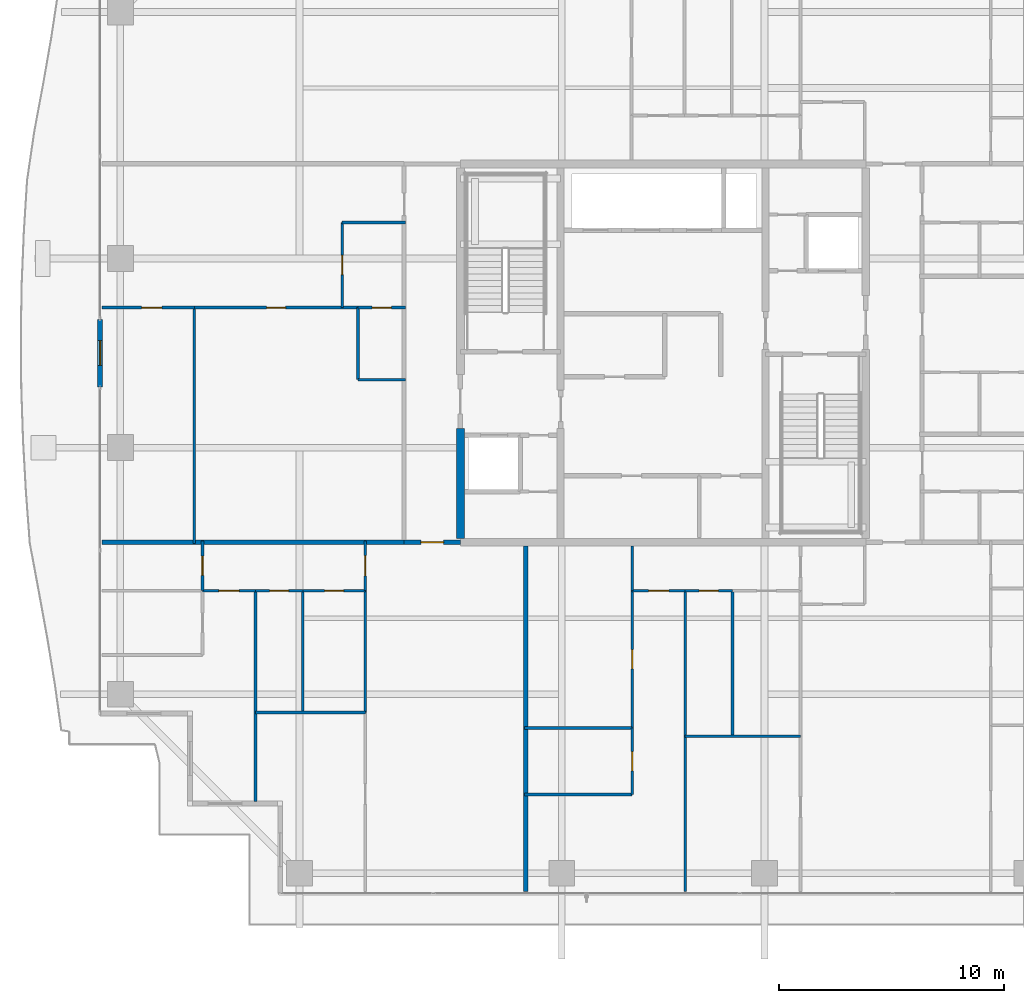
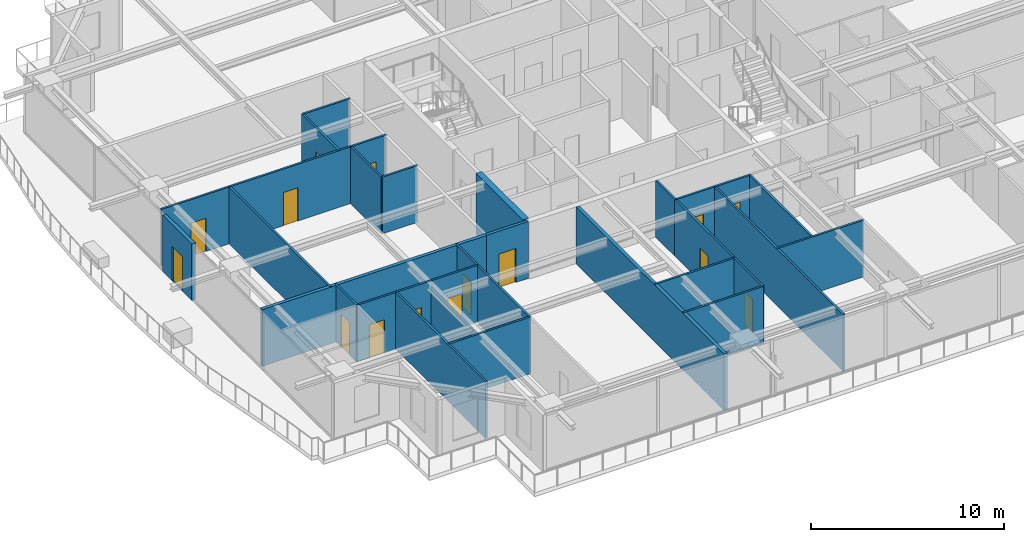
# One storey, part 27 of 40: 32 walls, 15 doors, 15 openings.
"""IFC4 building model written with IfcOpenShell, lengths in metres."""

from ifc_helpers import new_model, si_unit, direction, frame, frame_2d, origin, place, context, subcontext, project, spatial, rectangle, extrude, source, transform, mapped, material, layer, layer_set, type_object, element, fill, save


model = new_model("IFC4")

# Units and contexts
model_context = context("Model", 3, precision=1e-05, world=origin(), true_north=direction((0.0, 1.0)))
body_context = subcontext(model_context, "Body", "Model", "MODEL_VIEW")
ifc_project = project(units=[si_unit("LENGTHUNIT", "METRE"), si_unit("AREAUNIT", "SQUARE_METRE"), si_unit("VOLUMEUNIT", "CUBIC_METRE"), si_unit("PLANEANGLEUNIT", "RADIAN"), si_unit("MASSUNIT", "GRAM", prefix="KILO")], contexts=[model_context])

# Site, building, storey
site_placement = place(None, origin())
site = spatial("IfcSite", under=ifc_project, at=site_placement, CompositionType="ELEMENT")
building_placement = place(site_placement, origin())
building = spatial("IfcBuilding", under=site, at=building_placement, Name="Serunith Strait Residences", CompositionType="ELEMENT")
storey_placement = place(building_placement, frame((0.0, 0.0, 252.800048828125)))
storey = spatial("IfcBuildingStorey", under=building, at=storey_placement, Name="L63", CompositionType="ELEMENT", Elevation=252.800048828125)

# Wall, opening, door
ifc_material_1 = material(Name="Pale-Champagne Aluminium Insulated Panel", Category="aluminium")
ifc_layer_1 = layer(ifc_material_1, 0.219970703125, Name="Pale-Champagne Aluminium Insulated Panel")
ifc_layer_set_1 = layer_set([ifc_layer_1], Name="Pale-Champagne Aluminium Insulated Panel")
wall_type_1 = type_object("IfcWallType", Name="EW-ALUM-220", PredefinedType="ELEMENTEDWALL", material=ifc_layer_set_1)
wall_1_placement = place(storey_placement, frame((7.39990234375, 26.699951171875, 0.0), z_axis=(0.0, 0.0, 1.0), x_axis=(0.0, -1.0, 0.0)))
wall_1 = element("IfcWall", 1, at=wall_1_placement, inside=storey, type_object=wall_type_1, Name="L63 W Facade Pier Wall", PredefinedType="ELEMENTEDWALL", context=body_context, shape_type="SweptSolid", body=[
    extrude(rectangle(XDim=3.0, YDim=0.219970703125, at=frame_2d((1.5, 0.0))), origin(), (0.0, 0.0, 1.0), 3.574951171875),
])
opening_1_placement = place(wall_1_placement, frame((0.949951171875, 0.0, 0.0)))
opening_1 = element("IfcOpeningElement", 2, at=opening_1_placement, cuts=wall_1, Name="Opening ED-03", PredefinedType="OPENING", context=body_context, shape_type="SweptSolid", body=[
    extrude(rectangle(XDim=1.10009765625, YDim=2.199951171875, at=frame_2d((0.550048828125, 1.10009765625))), frame((0.0, 0.1201171875, 0.0), z_axis=(0.0, -1.0, 0.0), x_axis=(1.0, 0.0, 0.0)), (0.0, 0.0, 1.0), 0.239990234375),
])
ifc_material_2 = material(Name="Thermally-Broken Aluminium Glazed Balcony Door", Category="aluminium")
door_type_1 = type_object("IfcDoorType", Name="ED-BALC-1100", OperationType="NOTDEFINED", PredefinedType="DOOR", material=ifc_material_2)
shared_shape_1 = source(origin(), body_context, "Body", "SweptSolid", [
    extrude(rectangle(XDim=1.10009765625, YDim=2.199951171875, at=frame_2d((0.550048828125, 1.10009765625))), frame((0.0, 0.02490234375, 0.0), z_axis=(0.0, -1.0, 0.0), x_axis=(1.0, 0.0, 0.0)), (0.0, 0.0, 1.0), 0.050048828125),
])
door_1_placement = place(opening_1_placement, origin())
door_1 = element("IfcDoor", 3, at=door_1_placement, inside=storey, type_object=door_type_1, Name="L63 W Vertical-Forest Balcony Door", OperationType="SINGLE_SWING_LEFT", OverallHeight=2.199951171875, OverallWidth=1.10009765625, PredefinedType="DOOR", context=body_context, shape_type="MappedRepresentation", body=[
    mapped(shared_shape_1, transform((0.0, 0.0, 0.0), scale=1.0)),
])
fill(opening_1, door_1)

ifc_material_3 = material(Name="Fire-rated acoustic gypsum partition")
ifc_layer_2 = layer(ifc_material_3, 0.179931640625, Name="Fire-rated acoustic gypsum partition")
ifc_layer_set_2 = layer_set([ifc_layer_2], Name="Fire-rated acoustic gypsum partition")
wall_type_2 = type_object("IfcWallType", Name="IW-CORR-180", PredefinedType="PARTITIONING", material=ifc_layer_set_2)
wall_2_placement = place(storey_placement, frame((20.902099609375, 16.800048828125, 0.0), z_axis=(0.0, 0.0, 1.0), x_axis=(1.0, 0.0, 0.0)))
wall_2 = element("IfcWall", 4, at=wall_2_placement, inside=storey, type_object=wall_type_2, Name="L63 Partition Wall 027", PredefinedType="PARTITIONING", context=body_context, shape_type="SweptSolid", body=[
    extrude(rectangle(XDim=2.495849609375, YDim=0.179931640625, at=frame_2d((1.248046875, 0.0))), origin(), (0.0, 0.0, 1.0), 3.58984375),
])
opening_2_placement = place(wall_2_placement, frame((0.748046875, 0.0, 0.0)))
opening_2 = element("IfcOpeningElement", 5, at=opening_2_placement, cuts=wall_2, Name="Opening D-APT1000", PredefinedType="OPENING", context=body_context, shape_type="SweptSolid", body=[
    extrude(rectangle(XDim=1.0, YDim=2.14990234375, at=frame_2d((0.5, 1.074951171875))), frame((0.0, 0.10009765625, 0.0), z_axis=(0.0, -1.0, 0.0), x_axis=(1.0, 0.0, 0.0)), (0.0, 0.0, 1.0), 0.199951171875),
])
ifc_material_4 = material(Name="Solid timber engineered fire door", Category="wood")
door_type_2 = type_object("IfcDoorType", Name="ID-APT-1000", OperationType="NOTDEFINED", PredefinedType="DOOR", material=ifc_material_4)
shared_shape_2 = source(origin(), body_context, "Body", "SweptSolid", [
    extrude(rectangle(XDim=1.0, YDim=2.14990234375, at=frame_2d((0.5, 1.074951171875))), frame((0.0, 0.02490234375, 0.0), z_axis=(0.0, -1.0, 0.0), x_axis=(1.0, 0.0, 0.0)), (0.0, 0.0, 1.0), 0.050048828125),
])
door_2_placement = place(opening_2_placement, origin())
door_2 = element("IfcDoor", 6, at=door_2_placement, inside=storey, type_object=door_type_2, Name="L63 Unit 01 Entrance Door", OperationType="SINGLE_SWING_LEFT", OverallHeight=2.14990234375, OverallWidth=1.0, PredefinedType="DOOR", context=body_context, shape_type="MappedRepresentation", body=[
    mapped(shared_shape_2, transform((0.0, 0.0, 0.0), scale=1.0)),
])
fill(opening_2, door_2)

ifc_material_5 = material(Name="Lightweight steel-stud gypsum partition", Category="steel")
ifc_layer_3 = layer(ifc_material_5, 0.1201171875, Name="Lightweight steel-stud gypsum partition")
ifc_layer_set_3 = layer_set([ifc_layer_3], Name="Lightweight steel-stud gypsum partition")
wall_type_3 = type_object("IfcWallType", Name="IW-PART-120", PredefinedType="PARTITIONING", material=ifc_layer_set_3)
wall_3_placement = place(storey_placement, frame((19.179931640625, 14.64990234375, 0.0), z_axis=(0.0, 0.0, 1.0), x_axis=(0.0, 1.0, 0.0)))
wall_3 = element("IfcWall", 7, at=wall_3_placement, inside=storey, type_object=wall_type_3, Name="L63 Partition Wall 033", PredefinedType="PARTITIONING", context=body_context, shape_type="SweptSolid", body=[
    extrude(rectangle(XDim=2.210205078125, YDim=0.1201171875, at=frame_2d((1.10498046875, 0.0))), origin(), (0.0, 0.0, 1.0), 3.58984375),
])
opening_3_placement = place(wall_3_placement, frame((0.655029296875, 0.0, 0.0)))
opening_3 = element("IfcOpeningElement", 8, at=opening_3_placement, cuts=wall_3, Name="Opening D-RM900", PredefinedType="OPENING", context=body_context, shape_type="SweptSolid", body=[
    extrude(rectangle(XDim=0.89990234375, YDim=2.10009765625, at=frame_2d((0.449951171875, 1.050048828125))), frame((0.0, 0.070068359375, 0.0), z_axis=(0.0, -1.0, 0.0), x_axis=(1.0, 0.0, 0.0)), (0.0, 0.0, 1.0), 0.14013671875),
])
ifc_material_6 = material(Name="Engineered timber flush bedroom door", Category="wood")
door_type_3 = type_object("IfcDoorType", Name="ID-ROOM-900", OperationType="NOTDEFINED", PredefinedType="DOOR", material=ifc_material_6)
shared_shape_3 = source(origin(), body_context, "Body", "SweptSolid", [
    extrude(rectangle(XDim=0.89990234375, YDim=2.10009765625, at=frame_2d((0.449951171875, 1.050048828125))), frame((0.0, 0.02490234375, 0.0), z_axis=(0.0, -1.0, 0.0), x_axis=(1.0, 0.0, 0.0)), (0.0, 0.0, 1.0), 0.050048828125),
])
door_3_placement = place(opening_3_placement, origin())
door_3 = element("IfcDoor", 9, at=door_3_placement, inside=storey, type_object=door_type_3, Name="L63 Hall W 6301 Door", OperationType="SINGLE_SWING_RIGHT", OverallHeight=2.10009765625, OverallWidth=0.89990234375, PredefinedType="DOOR", context=body_context, shape_type="MappedRepresentation", body=[
    mapped(shared_shape_3, transform((0.0, 0.0, 0.0), scale=1.0)),
])
fill(opening_3, door_3)

# Walls
wall_4_placement = place(storey_placement, frame((19.179931640625, 9.2451171875, 0.0), z_axis=(0.0, 0.0, 1.0), x_axis=(0.0, 1.0, 0.0)))
element("IfcWall", 10, at=wall_4_placement, inside=storey, type_object=wall_type_3, Name="L63 Partition Wall 035", PredefinedType="PARTITIONING", context=body_context, shape_type="SweptSolid", body=[
    extrude(rectangle(XDim=5.40283203125, YDim=0.1201171875, at=frame_2d((2.701416015625, 0.0))), origin(), (0.0, 0.0, 1.0), 3.58984375),
])
wall_5_placement = place(storey_placement, frame((14.300048828125, 9.242919921875, 0.0), z_axis=(0.0, 0.0, 1.0), x_axis=(1.0, 0.0, 0.0)))
element("IfcWall", 11, at=wall_5_placement, inside=storey, type_object=wall_type_3, Name="L63 Partition Wall 036", PredefinedType="PARTITIONING", context=body_context, shape_type="SweptSolid", body=[
    extrude(rectangle(XDim=4.8798828125, YDim=0.1201171875, at=frame_2d((2.43994140625, 0.0))), origin(), (0.0, 0.0, 1.0), 3.58984375),
])
wall_6_placement = place(storey_placement, frame((14.300048828125, 5.294921875, 0.0), z_axis=(0.0, 0.0, 1.0), x_axis=(0.0, 1.0, 0.0)))
element("IfcWall", 12, at=wall_6_placement, inside=storey, type_object=wall_type_3, Name="L63 Partition Wall 037", PredefinedType="PARTITIONING", context=body_context, shape_type="SweptSolid", body=[
    extrude(rectangle(XDim=9.35498046875, YDim=0.1201171875, at=frame_2d((4.677490234375, 0.0))), origin(), (0.0, 0.0, 1.0), 3.58984375),
])
wall_7_placement = place(storey_placement, frame((16.39990234375, 9.242919921875, 0.0), z_axis=(0.0, 0.0, 1.0), x_axis=(0.0, 1.0, 0.0)))
element("IfcWall", 13, at=wall_7_placement, inside=storey, type_object=wall_type_3, Name="L63 Partition Wall 038", PredefinedType="PARTITIONING", context=body_context, shape_type="SweptSolid", body=[
    extrude(rectangle(XDim=5.406982421875, YDim=0.1201171875, at=frame_2d((2.70361328125, 0.0))), origin(), (0.0, 0.0, 1.0), 3.1220703125),
])

# Wall, opening, door
wall_8_placement = place(storey_placement, frame((14.300048828125, 14.64990234375, 0.0), z_axis=(0.0, 0.0, 1.0), x_axis=(1.0, 0.0, 0.0)))
wall_8 = element("IfcWall", 14, at=wall_8_placement, inside=storey, type_object=wall_type_3, Name="L63 Partition Wall 039", PredefinedType="PARTITIONING", context=body_context, shape_type="SweptSolid", body=[
    extrude(rectangle(XDim=2.099853515625, YDim=0.1201171875, at=frame_2d((1.0498046875, 0.0))), origin(), (0.0, 0.0, 1.0), 3.58984375),
])
opening_4_placement = place(wall_8_placement, frame((0.625, 0.0, 0.0)))
opening_4 = element("IfcOpeningElement", 15, at=opening_4_placement, cuts=wall_8, Name="Opening D-BTH850", PredefinedType="OPENING", context=body_context, shape_type="SweptSolid", body=[
    extrude(rectangle(XDim=0.85009765625, YDim=2.10009765625, at=frame_2d((0.425048828125, 1.050048828125))), frame((0.0, 0.070068359375, 0.0), z_axis=(0.0, -1.0, 0.0), x_axis=(1.0, 0.0, 0.0)), (0.0, 0.0, 1.0), 0.14013671875),
])
ifc_material_7 = material(Name="Moisture-resistant timber bathroom door", Category="wood")
door_type_4 = type_object("IfcDoorType", Name="ID-BATH-850", OperationType="NOTDEFINED", PredefinedType="DOOR", material=ifc_material_7)
shared_shape_4 = source(origin(), body_context, "Body", "SweptSolid", [
    extrude(rectangle(XDim=0.85009765625, YDim=2.10009765625, at=frame_2d((0.425048828125, 1.050048828125))), frame((0.0, 0.02490234375, 0.0), z_axis=(0.0, -1.0, 0.0), x_axis=(1.0, 0.0, 0.0)), (0.0, 0.0, 1.0), 0.050048828125),
])
door_4_placement = place(opening_4_placement, origin())
door_4 = element("IfcDoor", 16, at=door_4_placement, inside=storey, type_object=door_type_4, Name="L63 Bathroom 6301 Door", OperationType="SINGLE_SWING_RIGHT", OverallHeight=2.10009765625, OverallWidth=0.85009765625, PredefinedType="DOOR", context=body_context, shape_type="MappedRepresentation", body=[
    mapped(shared_shape_4, transform((0.0, 0.0, 0.0), scale=1.0)),
])
fill(opening_4, door_4)

wall_9_placement = place(storey_placement, frame((16.402099609375, 14.64990234375, 0.0), z_axis=(0.0, 0.0, 1.0), x_axis=(1.0, 0.0, 0.0)))
wall_9 = element("IfcWall", 17, at=wall_9_placement, inside=storey, type_object=wall_type_3, Name="L63 Partition Wall 040", PredefinedType="PARTITIONING", context=body_context, shape_type="SweptSolid", body=[
    extrude(rectangle(XDim=2.77783203125, YDim=0.1201171875, at=frame_2d((1.388916015625, 0.0))), origin(), (0.0, 0.0, 1.0), 3.58984375),
])
opening_5_placement = place(wall_9_placement, frame((0.964111328125, 0.0, 0.0)))
opening_5 = element("IfcOpeningElement", 18, at=opening_5_placement, cuts=wall_9, Name="Opening D-RM850", PredefinedType="OPENING", context=body_context, shape_type="SweptSolid", body=[
    extrude(rectangle(XDim=0.85009765625, YDim=2.10009765625, at=frame_2d((0.425048828125, 1.050048828125))), frame((0.0, 0.070068359375, 0.0), z_axis=(0.0, -1.0, 0.0), x_axis=(1.0, 0.0, 0.0)), (0.0, 0.0, 1.0), 0.14013671875),
])
ifc_material_8 = material(Name="Engineered timber flush study and kitchen door", Category="wood")
door_type_5 = type_object("IfcDoorType", Name="ID-ROOM-850", OperationType="NOTDEFINED", PredefinedType="DOOR", material=ifc_material_8)
door_5_placement = place(opening_5_placement, origin())
door_5 = element("IfcDoor", 19, at=door_5_placement, inside=storey, type_object=door_type_5, Name="L63 Kitchen 6301 Door", OperationType="SINGLE_SWING_LEFT", OverallHeight=2.10009765625, OverallWidth=0.85009765625, PredefinedType="DOOR", context=body_context, shape_type="MappedRepresentation", body=[
    mapped(shared_shape_4, transform((0.0, 0.0, 0.0), scale=1.0)),
])
fill(opening_5, door_5)

wall_10_placement = place(storey_placement, frame((11.949951171875, 14.64990234375, 0.0), z_axis=(0.0, 0.0, 1.0), x_axis=(1.0, 0.0, 0.0)))
wall_10 = element("IfcWall", 20, at=wall_10_placement, inside=storey, type_object=wall_type_3, Name="L63 Partition Wall 041", PredefinedType="PARTITIONING", context=body_context, shape_type="SweptSolid", body=[
    extrude(rectangle(XDim=2.34814453125, YDim=0.1201171875, at=frame_2d((1.174072265625, 0.0))), origin(), (0.0, 0.0, 1.0), 3.58984375),
])
opening_6_placement = place(wall_10_placement, frame((0.72412109375, 0.0, 0.0)))
opening_6 = element("IfcOpeningElement", 21, at=opening_6_placement, cuts=wall_10, Name="Opening D-RM900", PredefinedType="OPENING", context=body_context, shape_type="SweptSolid", body=[
    extrude(rectangle(XDim=0.89990234375, YDim=2.10009765625, at=frame_2d((0.449951171875, 1.050048828125))), frame((0.0, 0.070068359375, 0.0), z_axis=(0.0, -1.0, 0.0), x_axis=(1.0, 0.0, 0.0)), (0.0, 0.0, 1.0), 0.14013671875),
])
door_6_placement = place(opening_6_placement, origin())
door_6 = element("IfcDoor", 22, at=door_6_placement, inside=storey, type_object=door_type_3, Name="L63 Master Bedroom W 6301 Door", OperationType="SINGLE_SWING_RIGHT", OverallHeight=2.10009765625, OverallWidth=0.89990234375, PredefinedType="DOOR", context=body_context, shape_type="MappedRepresentation", body=[
    mapped(shared_shape_3, transform((0.0, 0.0, 0.0), scale=1.0)),
])
fill(opening_6, door_6)

wall_11_placement = place(storey_placement, frame((11.949951171875, 14.652099609375, 0.0), z_axis=(0.0, 0.0, 1.0), x_axis=(0.0, 1.0, 0.0)))
wall_11 = element("IfcWall", 23, at=wall_11_placement, inside=storey, type_object=wall_type_3, Name="L63 Partition Wall 045", PredefinedType="PARTITIONING", context=body_context, shape_type="SweptSolid", body=[
    extrude(rectangle(XDim=2.2080078125, YDim=0.1201171875, at=frame_2d((1.10400390625, 0.0))), origin(), (0.0, 0.0, 1.0), 3.58984375),
])
opening_7_placement = place(wall_11_placement, frame((0.678955078125, 0.0, 0.0)))
opening_7 = element("IfcOpeningElement", 24, at=opening_7_placement, cuts=wall_11, Name="Opening D-RM850", PredefinedType="OPENING", context=body_context, shape_type="SweptSolid", body=[
    extrude(rectangle(XDim=0.85009765625, YDim=2.10009765625, at=frame_2d((0.425048828125, 1.050048828125))), frame((0.0, 0.070068359375, 0.0), z_axis=(0.0, -1.0, 0.0), x_axis=(1.0, 0.0, 0.0)), (0.0, 0.0, 1.0), 0.14013671875),
])
door_7_placement = place(opening_7_placement, origin())
door_7 = element("IfcDoor", 25, at=door_7_placement, inside=storey, type_object=door_type_5, Name="L63 Wardrobe W 6301 Door", OperationType="SINGLE_SWING_RIGHT", OverallHeight=2.10009765625, OverallWidth=0.85009765625, PredefinedType="DOOR", context=body_context, shape_type="MappedRepresentation", body=[
    mapped(shared_shape_4, transform((0.0, 0.0, 0.0), scale=1.0)),
])
fill(opening_7, door_7)

# Walls
wall_12_placement = place(storey_placement, frame((33.3798828125, 8.18896484375, 0.0), z_axis=(0.0, 0.0, 1.0), x_axis=(1.0, 0.0, 0.0)))
element("IfcWall", 26, at=wall_12_placement, inside=storey, type_object=wall_type_3, Name="L63 Partition Wall 051", PredefinedType="PARTITIONING", context=body_context, shape_type="SweptSolid", body=[
    extrude(rectangle(XDim=5.1201171875, YDim=0.1201171875, at=frame_2d((2.56005859375, 0.0))), origin(), (0.0, 0.0, 1.0), 3.58984375),
])
wall_13_placement = place(storey_placement, frame((33.3798828125, 1.294921875, 0.0), z_axis=(0.0, 0.0, 1.0), x_axis=(0.0, 1.0, 0.0)))
element("IfcWall", 27, at=wall_13_placement, inside=storey, type_object=wall_type_3, Name="L63 Partition Wall 052", PredefinedType="PARTITIONING", context=body_context, shape_type="SweptSolid", body=[
    extrude(rectangle(XDim=13.35498046875, YDim=0.1201171875, at=frame_2d((6.677490234375, 0.0))), origin(), (0.0, 0.0, 1.0), 3.58984375),
])
wall_14_placement = place(storey_placement, frame((35.47998046875, 8.18896484375, 0.0), z_axis=(0.0, 0.0, 1.0), x_axis=(0.0, 1.0, 0.0)))
element("IfcWall", 28, at=wall_14_placement, inside=storey, type_object=wall_type_3, Name="L63 Partition Wall 053", PredefinedType="PARTITIONING", context=body_context, shape_type="SweptSolid", body=[
    extrude(rectangle(XDim=6.4609375, YDim=0.1201171875, at=frame_2d((3.23046875, 0.0))), origin(), (0.0, 0.0, 1.0), 3.58984375),
])

# Wall, opening, door
wall_15_placement = place(storey_placement, frame((33.3798828125, 14.64990234375, 0.0), z_axis=(0.0, 0.0, 1.0), x_axis=(1.0, 0.0, 0.0)))
wall_15 = element("IfcWall", 29, at=wall_15_placement, inside=storey, type_object=wall_type_3, Name="L63 Partition Wall 054", PredefinedType="PARTITIONING", context=body_context, shape_type="SweptSolid", body=[
    extrude(rectangle(XDim=2.10009765625, YDim=0.1201171875, at=frame_2d((1.050048828125, 0.0))), origin(), (0.0, 0.0, 1.0), 3.58984375),
])
opening_8_placement = place(wall_15_placement, frame((0.625, 0.0, 0.0)))
opening_8 = element("IfcOpeningElement", 30, at=opening_8_placement, cuts=wall_15, Name="Opening D-BTH850", PredefinedType="OPENING", context=body_context, shape_type="SweptSolid", body=[
    extrude(rectangle(XDim=0.85009765625, YDim=2.10009765625, at=frame_2d((0.425048828125, 1.050048828125))), frame((0.0, 0.070068359375, 0.0), z_axis=(0.0, -1.0, 0.0), x_axis=(1.0, 0.0, 0.0)), (0.0, 0.0, 1.0), 0.14013671875),
])
door_8_placement = place(opening_8_placement, origin())
door_8 = element("IfcDoor", 31, at=door_8_placement, inside=storey, type_object=door_type_4, Name="L63 Bathroom 6302 Door", OperationType="SINGLE_SWING_RIGHT", OverallHeight=2.10009765625, OverallWidth=0.85009765625, PredefinedType="DOOR", context=body_context, shape_type="MappedRepresentation", body=[
    mapped(shared_shape_4, transform((0.0, 0.0, 0.0), scale=1.0)),
])
fill(opening_8, door_8)

wall_16_placement = place(storey_placement, frame((31.030029296875, 14.64990234375, 0.0), z_axis=(0.0, 0.0, 1.0), x_axis=(1.0, 0.0, 0.0)))
wall_16 = element("IfcWall", 32, at=wall_16_placement, inside=storey, type_object=wall_type_3, Name="L63 Partition Wall 056", PredefinedType="PARTITIONING", context=body_context, shape_type="SweptSolid", body=[
    extrude(rectangle(XDim=2.347900390625, YDim=0.1201171875, at=frame_2d((1.173828125, 0.0))), origin(), (0.0, 0.0, 1.0), 3.58984375),
])
opening_9_placement = place(wall_16_placement, frame((0.72412109375, 0.0, 0.0)))
opening_9 = element("IfcOpeningElement", 33, at=opening_9_placement, cuts=wall_16, Name="Opening D-RM900", PredefinedType="OPENING", context=body_context, shape_type="SweptSolid", body=[
    extrude(rectangle(XDim=0.89990234375, YDim=2.10009765625, at=frame_2d((0.449951171875, 1.050048828125))), frame((0.0, 0.070068359375, 0.0), z_axis=(0.0, -1.0, 0.0), x_axis=(1.0, 0.0, 0.0)), (0.0, 0.0, 1.0), 0.14013671875),
])
door_9_placement = place(opening_9_placement, origin())
door_9 = element("IfcDoor", 34, at=door_9_placement, inside=storey, type_object=door_type_3, Name="L63 Master Bedroom W 6302 Door", OperationType="SINGLE_SWING_RIGHT", OverallHeight=2.10009765625, OverallWidth=0.89990234375, PredefinedType="DOOR", context=body_context, shape_type="MappedRepresentation", body=[
    mapped(shared_shape_3, transform((0.0, 0.0, 0.0), scale=1.0)),
])
fill(opening_9, door_9)

# Walls
for number, where, z_axis, x_axis, name in (
    (35, (26.239990234375, 5.594970703125, 0.0), (0.0, 0.0, 1.0), (1.0, 0.0, 0.0), "L63 Partition Wall 057"),
    (36, (26.239990234375, 8.554931640625, 0.0), (0.0, 0.0, 1.0), (1.0, 0.0, 0.0), "L63 Partition Wall 058"),
):
    element("IfcWall", number, at=place(storey_placement, frame(where, z_axis=z_axis, x_axis=x_axis)), inside=storey, type_object=wall_type_3, Name=name, PredefinedType="PARTITIONING", context=body_context, shape_type="SweptSolid", body=[
        extrude(rectangle(XDim=4.7900390625, YDim=0.1201171875, at=frame_2d((2.39501953125, 0.0))), origin(), (0.0, 0.0, 1.0), 3.58984375),
    ])

# Wall, opening, door
wall_17_placement = place(storey_placement, frame((31.030029296875, 5.594970703125, 0.0), z_axis=(0.0, 0.0, 1.0), x_axis=(0.0, 1.0, 0.0)))
wall_17 = element("IfcWall", 37, at=wall_17_placement, inside=storey, type_object=wall_type_3, Name="L63 Partition Wall 059", PredefinedType="PARTITIONING", context=body_context, shape_type="SweptSolid", body=[
    extrude(rectangle(XDim=2.9599609375, YDim=0.1201171875, at=frame_2d((1.47998046875, 0.0))), origin(), (0.0, 0.0, 1.0), 3.58984375),
])
opening_10_placement = place(wall_17_placement, frame((1.054931640625, 0.0, 0.0)))
opening_10 = element("IfcOpeningElement", 38, at=opening_10_placement, cuts=wall_17, Name="Opening D-BTH850", PredefinedType="OPENING", context=body_context, shape_type="SweptSolid", body=[
    extrude(rectangle(XDim=0.85009765625, YDim=2.10009765625, at=frame_2d((0.425048828125, 1.050048828125))), frame((0.0, 0.070068359375, 0.0), z_axis=(0.0, -1.0, 0.0), x_axis=(1.0, 0.0, 0.0)), (0.0, 0.0, 1.0), 0.14013671875),
])
door_10_placement = place(opening_10_placement, origin())
door_10 = element("IfcDoor", 39, at=door_10_placement, inside=storey, type_object=door_type_4, Name="L63 En-suite Bathroom W 6302 Door", OperationType="SINGLE_SWING_LEFT", OverallHeight=2.10009765625, OverallWidth=0.85009765625, PredefinedType="DOOR", context=body_context, shape_type="MappedRepresentation", body=[
    mapped(shared_shape_4, transform((0.0, 0.0, 0.0), scale=1.0)),
])
fill(opening_10, door_10)

wall_18_placement = place(storey_placement, frame((31.030029296875, 8.556884765625, 0.0), z_axis=(0.0, 0.0, 1.0), x_axis=(0.0, 1.0, 0.0)))
wall_18 = element("IfcWall", 40, at=wall_18_placement, inside=storey, type_object=wall_type_3, Name="L63 Partition Wall 060", PredefinedType="PARTITIONING", context=body_context, shape_type="SweptSolid", body=[
    extrude(rectangle(XDim=6.093017578125, YDim=0.1201171875, at=frame_2d((3.04638671875, 0.0))), origin(), (0.0, 0.0, 1.0), 3.58984375),
])
opening_11_placement = place(wall_18_placement, frame((2.6220703125, 0.0, 0.0)))
opening_11 = element("IfcOpeningElement", 41, at=opening_11_placement, cuts=wall_18, Name="Opening D-RM850", PredefinedType="OPENING", context=body_context, shape_type="SweptSolid", body=[
    extrude(rectangle(XDim=0.85009765625, YDim=2.10009765625, at=frame_2d((0.425048828125, 1.050048828125))), frame((0.0, 0.070068359375, 0.0), z_axis=(0.0, -1.0, 0.0), x_axis=(1.0, 0.0, 0.0)), (0.0, 0.0, 1.0), 0.14013671875),
])
door_11_placement = place(opening_11_placement, origin())
door_11 = element("IfcDoor", 42, at=door_11_placement, inside=storey, type_object=door_type_5, Name="L63 Wardrobe W 6302 Door", OperationType="SINGLE_SWING_RIGHT", OverallHeight=2.10009765625, OverallWidth=0.85009765625, PredefinedType="DOOR", context=body_context, shape_type="MappedRepresentation", body=[
    mapped(shared_shape_4, transform((0.0, 0.0, 0.0), scale=1.0)),
])
fill(opening_11, door_11)

# Wall
wall_19_placement = place(storey_placement, frame((31.030029296875, 14.652099609375, 0.0), z_axis=(0.0, 0.0, 1.0), x_axis=(0.0, 1.0, 0.0)))
element("IfcWall", 43, at=wall_19_placement, inside=storey, type_object=wall_type_3, Name="L63 Partition Wall 061", PredefinedType="PARTITIONING", context=body_context, shape_type="SweptSolid", body=[
    extrude(rectangle(XDim=1.972900390625, YDim=0.1201171875, at=frame_2d((0.986328125, 0.0))), origin(), (0.0, 0.0, 1.0), 3.58984375),
])

# Wall, opening, door
wall_20_placement = place(storey_placement, frame((18.14990234375, 27.219970703125, 0.0), z_axis=(0.0, 0.0, 1.0), x_axis=(0.0, 1.0, 0.0)))
wall_20 = element("IfcWall", 44, at=wall_20_placement, inside=storey, type_object=wall_type_3, Name="L63 Partition Wall 091", PredefinedType="PARTITIONING", context=body_context, shape_type="SweptSolid", body=[
    extrude(rectangle(XDim=3.780029296875, YDim=0.1201171875, at=frame_2d((1.89013671875, 0.0))), origin(), (0.0, 0.0, 1.0), 3.58984375),
])
opening_12_placement = place(wall_20_placement, frame((1.465087890625, 0.0, 0.0)))
opening_12 = element("IfcOpeningElement", 45, at=opening_12_placement, cuts=wall_20, Name="Opening D-RM850", PredefinedType="OPENING", context=body_context, shape_type="SweptSolid", body=[
    extrude(rectangle(XDim=0.85009765625, YDim=2.10009765625, at=frame_2d((0.425048828125, 1.050048828125))), frame((0.0, 0.070068359375, 0.0), z_axis=(0.0, -1.0, 0.0), x_axis=(1.0, 0.0, 0.0)), (0.0, 0.0, 1.0), 0.14013671875),
])
door_12_placement = place(opening_12_placement, origin())
door_12 = element("IfcDoor", 46, at=door_12_placement, inside=storey, type_object=door_type_5, Name="L63 Kitchen 6304 Door", OperationType="SINGLE_SWING_LEFT", OverallHeight=2.10009765625, OverallWidth=0.85009765625, PredefinedType="DOOR", context=body_context, shape_type="MappedRepresentation", body=[
    mapped(shared_shape_4, transform((0.0, 0.0, 0.0), scale=1.0)),
])
fill(opening_12, door_12)

# Wall
wall_21_placement = place(storey_placement, frame((18.14990234375, 31.0, 0.0), z_axis=(0.0, 0.0, 1.0), x_axis=(1.0, 0.0, 0.0)))
element("IfcWall", 47, at=wall_21_placement, inside=storey, type_object=wall_type_3, Name="L63 Partition Wall 092", PredefinedType="PARTITIONING", context=body_context, shape_type="SweptSolid", body=[
    extrude(rectangle(XDim=2.81005859375, YDim=0.1201171875, at=frame_2d((1.405029296875, 0.0))), origin(), (0.0, 0.0, 1.0), 3.58984375),
])

# Wall, opening, door
wall_22_placement = place(storey_placement, frame((7.4951171875, 27.219970703125, 0.0), z_axis=(0.0, 0.0, 1.0), x_axis=(1.0, 0.0, 0.0)))
wall_22 = element("IfcWall", 48, at=wall_22_placement, inside=storey, type_object=wall_type_3, Name="L63 Partition Wall 093", PredefinedType="PARTITIONING", context=body_context, shape_type="SweptSolid", body=[
    extrude(rectangle(XDim=4.0888671875, YDim=0.1201171875, at=frame_2d((2.04443359375, 0.0))), origin(), (0.0, 0.0, 1.0), 3.58984375),
])
opening_13_placement = place(wall_22_placement, frame((1.75390625, 0.0, 0.0)))
opening_13 = element("IfcOpeningElement", 49, at=opening_13_placement, cuts=wall_22, Name="Opening D-RM900", PredefinedType="OPENING", context=body_context, shape_type="SweptSolid", body=[
    extrude(rectangle(XDim=0.89990234375, YDim=2.10009765625, at=frame_2d((0.449951171875, 1.050048828125))), frame((0.0, 0.070068359375, 0.0), z_axis=(0.0, -1.0, 0.0), x_axis=(1.0, 0.0, 0.0)), (0.0, 0.0, 1.0), 0.14013671875),
])
door_13_placement = place(opening_13_placement, origin())
door_13 = element("IfcDoor", 50, at=door_13_placement, inside=storey, type_object=door_type_3, Name="L63 Master Bedroom 1 6304 Door", OperationType="SINGLE_SWING_RIGHT", OverallHeight=2.10009765625, OverallWidth=0.89990234375, PredefinedType="DOOR", context=body_context, shape_type="MappedRepresentation", body=[
    mapped(shared_shape_3, transform((0.0, 0.0, 0.0), scale=1.0)),
])
fill(opening_13, door_13)

# Walls
wall_23_placement = place(storey_placement, frame((11.583984375, 16.739990234375, 0.0), z_axis=(0.0, 0.0, 1.0), x_axis=(0.0, 1.0, 0.0)))
element("IfcWall", 51, at=wall_23_placement, inside=storey, type_object=wall_type_3, Name="L63 Partition Wall 094", PredefinedType="PARTITIONING", context=body_context, shape_type="SweptSolid", body=[
    extrude(rectangle(XDim=10.47998046875, YDim=0.1201171875, at=frame_2d((5.239990234375, 0.0))), origin(), (0.0, 0.0, 1.0), 3.58984375),
])
wall_24_placement = place(storey_placement, frame((18.85009765625, 24.02001953125, 0.0), z_axis=(0.0, 0.0, 1.0), x_axis=(0.0, 1.0, 0.0)))
element("IfcWall", 52, at=wall_24_placement, inside=storey, type_object=wall_type_3, Name="L63 Partition Wall 095", PredefinedType="PARTITIONING", context=body_context, shape_type="SweptSolid", body=[
    extrude(rectangle(XDim=3.199951171875, YDim=0.1201171875, at=frame_2d((1.60009765625, 0.0))), origin(), (0.0, 0.0, 1.0), 3.58984375),
])
wall_25_placement = place(storey_placement, frame((18.85009765625, 24.02001953125, 0.0), z_axis=(0.0, 0.0, 1.0), x_axis=(1.0, 0.0, 0.0)))
element("IfcWall", 53, at=wall_25_placement, inside=storey, type_object=wall_type_3, Name="L63 Partition Wall 096", PredefinedType="PARTITIONING", context=body_context, shape_type="SweptSolid", body=[
    extrude(rectangle(XDim=2.10986328125, YDim=0.1201171875, at=frame_2d((1.054931640625, 0.0))), origin(), (0.0, 0.0, 1.0), 3.58984375),
])

# Wall, opening, door
wall_26_placement = place(storey_placement, frame((11.5859375, 27.219970703125, 0.0), z_axis=(0.0, 0.0, 1.0), x_axis=(1.0, 0.0, 0.0)))
wall_26 = element("IfcWall", 54, at=wall_26_placement, inside=storey, type_object=wall_type_3, Name="L63 Partition Wall 097", PredefinedType="PARTITIONING", context=body_context, shape_type="SweptSolid", body=[
    extrude(rectangle(XDim=7.26416015625, YDim=0.1201171875, at=frame_2d((3.632080078125, 0.0))), origin(), (0.0, 0.0, 1.0), 3.58984375),
])
opening_14_placement = place(wall_26_placement, frame((3.20703125, 0.0, 0.0)))
opening_14 = element("IfcOpeningElement", 55, at=opening_14_placement, cuts=wall_26, Name="Opening D-RM850", PredefinedType="OPENING", context=body_context, shape_type="SweptSolid", body=[
    extrude(rectangle(XDim=0.85009765625, YDim=2.10009765625, at=frame_2d((0.425048828125, 1.050048828125))), frame((0.0, 0.070068359375, 0.0), z_axis=(0.0, -1.0, 0.0), x_axis=(1.0, 0.0, 0.0)), (0.0, 0.0, 1.0), 0.14013671875),
])
door_14_placement = place(opening_14_placement, origin())
door_14 = element("IfcDoor", 56, at=door_14_placement, inside=storey, type_object=door_type_5, Name="L63 Walk-in Wardrobe 6304 Door", OperationType="SINGLE_SWING_LEFT", OverallHeight=2.10009765625, OverallWidth=0.85009765625, PredefinedType="DOOR", context=body_context, shape_type="MappedRepresentation", body=[
    mapped(shared_shape_4, transform((0.0, 0.0, 0.0), scale=1.0)),
])
fill(opening_14, door_14)

wall_27_placement = place(storey_placement, frame((18.85205078125, 27.219970703125, 0.0), z_axis=(0.0, 0.0, 1.0), x_axis=(1.0, 0.0, 0.0)))
wall_27 = element("IfcWall", 57, at=wall_27_placement, inside=storey, type_object=wall_type_3, Name="L63 Partition Wall 098", PredefinedType="PARTITIONING", context=body_context, shape_type="SweptSolid", body=[
    extrude(rectangle(XDim=2.10791015625, YDim=0.1201171875, at=frame_2d((1.053955078125, 0.0))), origin(), (0.0, 0.0, 1.0), 3.58984375),
])
opening_15_placement = place(wall_27_placement, frame((0.62890625, 0.0, 0.0)))
opening_15 = element("IfcOpeningElement", 58, at=opening_15_placement, cuts=wall_27, Name="Opening D-BTH850", PredefinedType="OPENING", context=body_context, shape_type="SweptSolid", body=[
    extrude(rectangle(XDim=0.85009765625, YDim=2.10009765625, at=frame_2d((0.425048828125, 1.050048828125))), frame((0.0, 0.070068359375, 0.0), z_axis=(0.0, -1.0, 0.0), x_axis=(1.0, 0.0, 0.0)), (0.0, 0.0, 1.0), 0.14013671875),
])
door_15_placement = place(opening_15_placement, origin())
door_15 = element("IfcDoor", 59, at=door_15_placement, inside=storey, type_object=door_type_4, Name="L63 Bathroom 6304 Door", OperationType="SINGLE_SWING_RIGHT", OverallHeight=2.10009765625, OverallWidth=0.85009765625, PredefinedType="DOOR", context=body_context, shape_type="MappedRepresentation", body=[
    mapped(shared_shape_4, transform((0.0, 0.0, 0.0), scale=1.0)),
])
fill(opening_15, door_15)

# Walls
ifc_material_9 = material(Name="Twin-stud acoustic gypsum board partition")
ifc_layer_4 = layer(ifc_material_9, 0.199951171875, Name="Twin-stud acoustic gypsum board partition")
ifc_layer_set_4 = layer_set([ifc_layer_4], Name="Twin-stud acoustic gypsum board partition")
wall_type_4 = type_object("IfcWallType", Name="IW-PARTY-200", PredefinedType="PARTITIONING", material=ifc_layer_set_4)
wall_28_placement = place(storey_placement, frame((26.300048828125, 1.281982421875, 0.0), z_axis=(0.0, 0.0, 1.0), x_axis=(0.0, 1.0, 0.0)))
element("IfcWall", 60, at=wall_28_placement, inside=storey, type_object=wall_type_4, Name="L63 Partition Wall 020", PredefinedType="PARTITIONING", context=body_context, shape_type="SweptSolid", body=[
    extrude(rectangle(XDim=15.343017578125, YDim=0.199951171875, at=frame_2d((7.67138671875, 0.0))), origin(), (0.0, 0.0, 1.0), 3.58984375),
])
wall_29_placement = place(storey_placement, frame((7.48193359375, 16.800048828125, 0.0), z_axis=(0.0, 0.0, 1.0), x_axis=(1.0, 0.0, 0.0)))
element("IfcWall", 61, at=wall_29_placement, inside=storey, type_object=wall_type_4, Name="L63 Partition Wall 023", PredefinedType="PARTITIONING", context=body_context, shape_type="SweptSolid", body=[
    extrude(rectangle(XDim=13.41796875, YDim=0.199951171875, at=frame_2d((6.708984375, 0.0))), origin(), (0.0, 0.0, 1.0), 3.58984375),
])
ifc_material_10 = material(Name="Concrete C60/75", Category="concrete")
ifc_layer_5 = layer(ifc_material_10, 0.35009765625, Name="Concrete C60/75")
ifc_layer_set_5 = layer_set([ifc_layer_5], Name="Concrete C60/75")
wall_type_5 = type_object("IfcWallType", Name="SW-350-C60", PredefinedType="SHEAR", material=ifc_layer_set_5)
wall_30_placement = place(storey_placement, frame((23.39990234375, 16.97509765625, -0.260009765625), z_axis=(0.0, 0.0, 1.0), x_axis=(0.0, 1.0, 0.0)))
element("IfcWall", 62, at=wall_30_placement, inside=storey, type_object=wall_type_5, Name="L63 Core West Shear Wall South Pier", PredefinedType="SHEAR", context=body_context, shape_type="SweptSolid", body=[
    extrude(rectangle(XDim=4.875, YDim=0.35009765625, at=frame_2d((2.4375, 0.0))), origin(), (0.0, 0.0, 1.0), 3.847900390625),
])

save(model, "model.ifc")
